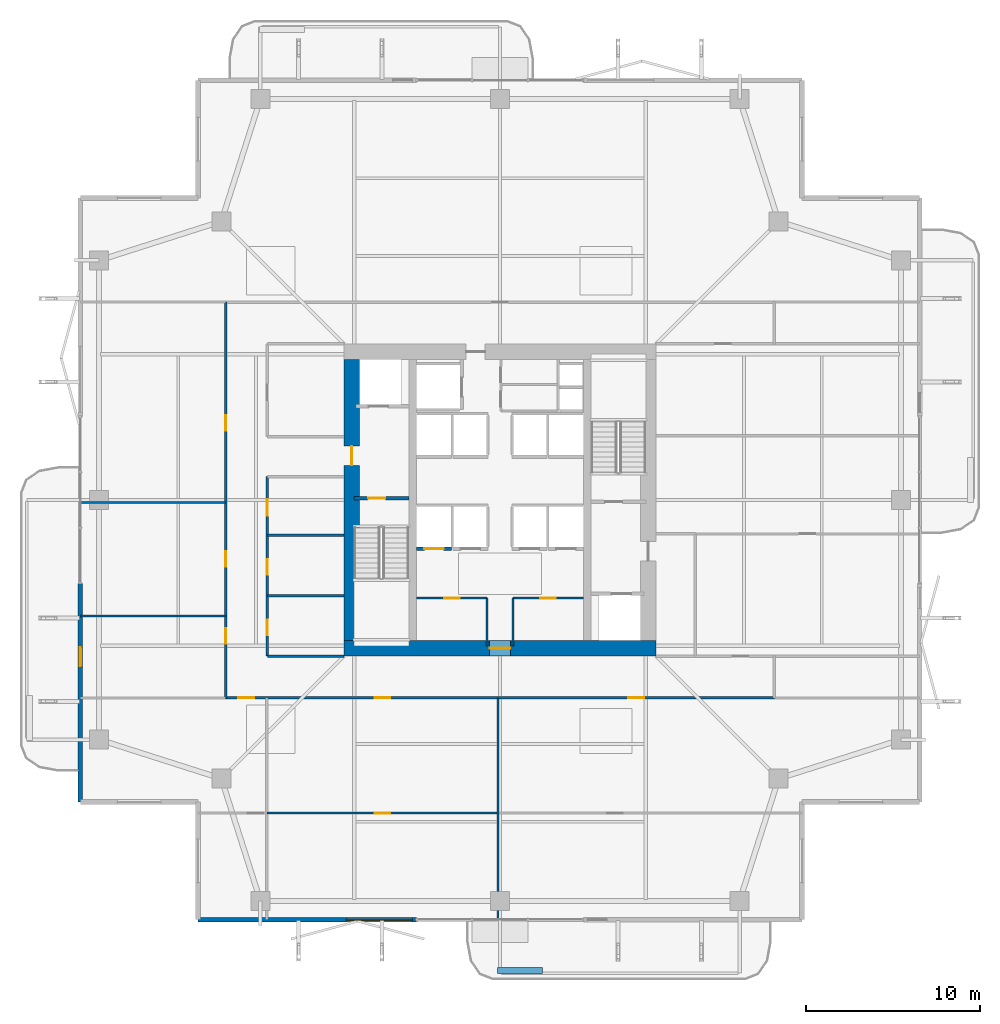
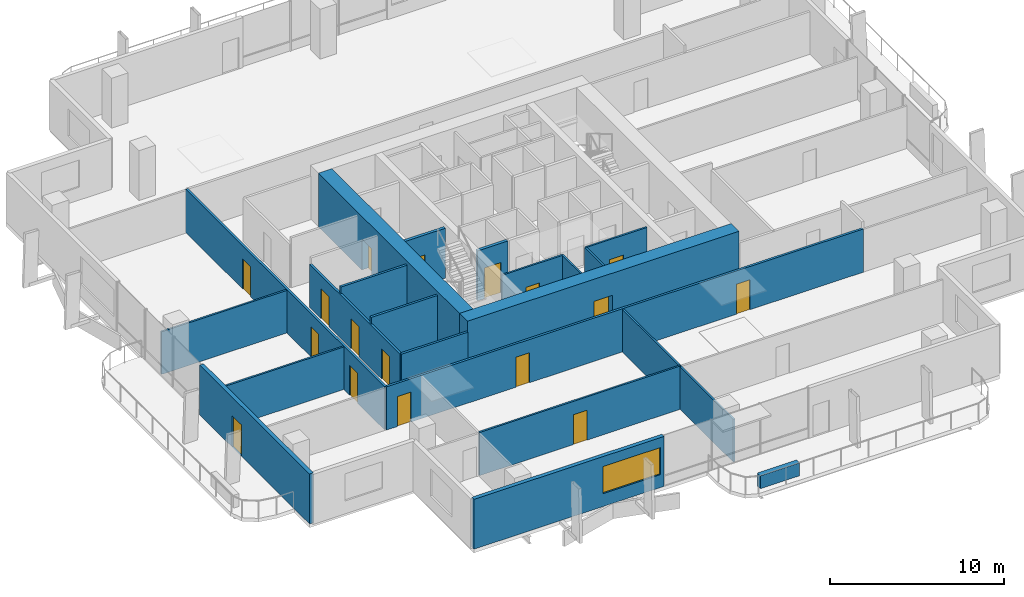
# One storey, part 18 of 25: 21 walls, 17 doors, 1 window, 18 openings.
"""IFC4 building model written with IfcOpenShell, lengths in metres."""

from ifc_helpers import new_model, si_unit, direction, frame, frame_2d, origin, place, context, subcontext, project, spatial, rectangle, extrude, material, layer, layer_set, type_object, element, fill, save


model = new_model("IFC4")

# Units and contexts
model_context = context("Model", 3, precision=1e-05, world=origin(), true_north=direction((0.0, 1.0)))
body_context = subcontext(model_context, "Body", "Model", "MODEL_VIEW")
ifc_project = project(units=[si_unit("LENGTHUNIT", "METRE"), si_unit("AREAUNIT", "SQUARE_METRE"), si_unit("VOLUMEUNIT", "CUBIC_METRE"), si_unit("PLANEANGLEUNIT", "RADIAN"), si_unit("MASSUNIT", "GRAM", prefix="KILO")], contexts=[model_context])

# Site, building, storey
site_placement = place(None, origin())
site = spatial("IfcSite", under=ifc_project, at=site_placement, CompositionType="ELEMENT")
building_placement = place(site_placement, origin())
building = spatial("IfcBuilding", under=site, at=building_placement, Name="Belovzor Exchange Tower", CompositionType="ELEMENT")
storey_placement = place(building_placement, frame((0.0, 0.0, 142.050048828125)))
storey = spatial("IfcBuildingStorey", under=building, at=storey_placement, Name="L34", CompositionType="ELEMENT", Elevation=142.050048828125)

# Wall, opening, door
ifc_material_1 = material(Name="Acoustic Plasterboard on Galvanised Studs", Category="gypsum")
ifc_layer_1 = layer(ifc_material_1, 0.1201171875)
ifc_layer_set_1 = layer_set([ifc_layer_1], Name="Acoustic Plasterboard on Galvanised Studs")
wall_type_1 = type_object("IfcWallType", Name="Acoustic Double-Stud Partition Wall 120", PredefinedType="PARTITIONING", material=ifc_layer_set_1)
wall_1_placement = place(storey_placement, frame((15.364990234375, 10.76611328125, 0.0), z_axis=(0.0, 0.0, 1.0), x_axis=(1.0, 0.0, 0.0)))
wall_1 = element("IfcWall", 1, at=wall_1_placement, inside=storey, type_object=wall_type_1, Name="W-P120 Partition Wall W-L34-SHDIV-1", PredefinedType="PARTITIONING", context=body_context, shape_type="SweptSolid", body=[
    extrude(rectangle(XDim=13.3310546875, YDim=0.1201171875, at=frame_2d((6.66552734375, 0.0))), origin(), (0.0, 0.0, 1.0), 3.030029296875),
])
opening_1_placement = place(wall_1_placement, frame((6.216064453125, 0.0, 0.0)))
opening_1 = element("IfcOpeningElement", 2, at=opening_1_placement, cuts=wall_1, Name="Opening D-INT-090", PredefinedType="OPENING", context=body_context, shape_type="SweptSolid", body=[
    extrude(rectangle(XDim=0.89990234375, YDim=2.10009765625, at=frame_2d((0.449951171875, 1.050048828125))), frame((0.0, 0.070068359375, 0.0), z_axis=(0.0, -1.0, 0.0), x_axis=(1.0, 0.0, 0.0)), (0.0, 0.0, 1.0), 0.14013671875),
])
ifc_material_2 = material(Name="Veneered Hardwood Acoustic Leaf", Category="wood")
door_type_1 = type_object("IfcDoorType", Name="Trading Suite Acoustic Single Door 900x2100", OperationType="NOTDEFINED", PredefinedType="DOOR", material=ifc_material_2)
door_1_placement = place(opening_1_placement, origin())
door_1 = element("IfcDoor", 3, at=door_1_placement, inside=storey, type_object=door_type_1, Name="D-INT-090 Trading Suite Acoustic Single Door 900x2100", OperationType="SINGLE_SWING_LEFT", OverallHeight=2.10009765625, OverallWidth=0.89990234375, PredefinedType="DOOR", context=body_context, shape_type="SweptSolid", body=[
    extrude(rectangle(XDim=0.89990234375, YDim=2.10009765625, at=frame_2d((0.449951171875, 1.050048828125))), frame((0.0, 0.02490234375, 0.0), z_axis=(0.0, -1.0, 0.0), x_axis=(1.0, 0.0, 0.0)), (0.0, 0.0, 1.0), 0.050048828125),
])
fill(opening_1, door_1)

# Walls
wall_2_placement = place(storey_placement, frame((28.696044921875, 4.6298828125, 0.0), z_axis=(0.0, 0.0, 1.0), x_axis=(0.0, 1.0, 0.0)))
element("IfcWall", 4, at=wall_2_placement, inside=storey, type_object=wall_type_1, Name="W-P120 Partition Wall W-L34-SDIV-2", PredefinedType="PARTITIONING", context=body_context, shape_type="SweptSolid", body=[
    extrude(rectangle(XDim=12.77001953125, YDim=0.1201171875, at=frame_2d((6.385009765625, 0.0))), origin(), (0.0, 0.0, 1.0), 2.97998046875),
])
for number, where, z_axis, x_axis, name in (
    (5, (4.6298828125, 22.1259765625, 0.0), (0.0, 0.0, 1.0), (1.0, 0.0, 0.0), "W-P120 Partition Wall W-L34-WDIV-1"),
    (6, (4.6298828125, 28.656982421875, 0.0), (0.0, 0.0, 1.0), (1.0, 0.0, 0.0), "W-P120 Partition Wall W-L34-WDIV-2"),
):
    element("IfcWall", number, at=place(storey_placement, frame(where, z_axis=z_axis, x_axis=x_axis)), inside=storey, type_object=wall_type_1, Name=name, PredefinedType="PARTITIONING", context=body_context, shape_type="SweptSolid", body=[
        extrude(rectangle(XDim=8.3701171875, YDim=0.1201171875, at=frame_2d((4.18505859375, 0.0))), origin(), (0.0, 0.0, 1.0), 2.97998046875),
    ])

# Wall, opening, door
ifc_material_3 = material(Name="Fire-Rated Plasterboard on Galvanised Studs", Category="gypsum")
ifc_layer_2 = layer(ifc_material_3, 0.1201171875)
ifc_layer_set_2 = layer_set([ifc_layer_2], Name="Fire-Rated Plasterboard on Galvanised Studs")
wall_type_2 = type_object("IfcWallType", Name="Fire-Rated Double-Stud Partition Wall 120", PredefinedType="PARTITIONING", material=ifc_layer_set_2)
wall_3_placement = place(storey_placement, frame((24.0, 23.14990234375, 0.0), z_axis=(0.0, 0.0, 1.0), x_axis=(1.0, 0.0, 0.0)))
wall_3 = element("IfcWall", 7, at=wall_3_placement, inside=storey, type_object=wall_type_2, Name="W-P120F Partition Wall W-CRL-L34-WN", PredefinedType="PARTITIONING", context=body_context, shape_type="SweptSolid", body=[
    extrude(rectangle(XDim=4.050048828125, YDim=0.1201171875, at=frame_2d((2.02490234375, 0.0))), origin(), (0.0, 0.0, 1.0), 3.494873046875),
])
opening_2_placement = place(wall_3_placement, frame((1.574951171875, 0.0, 0.0)))
opening_2 = element("IfcOpeningElement", 8, at=opening_2_placement, cuts=wall_3, Name="Opening D-FD60-090", PredefinedType="OPENING", context=body_context, shape_type="SweptSolid", body=[
    extrude(rectangle(XDim=0.89990234375, YDim=2.10009765625, at=frame_2d((0.449951171875, 1.050048828125))), frame((0.0, 0.070068359375, 0.0), z_axis=(0.0, -1.0, 0.0), x_axis=(1.0, 0.0, 0.0)), (0.0, 0.0, 1.0), 0.14013671875),
])
ifc_material_4 = material(Name="Acoustic Timber Fire Leaf", Category="wood")
door_type_2 = type_object("IfcDoorType", Name="Core Service & Restroom Fire Door 900x2100", OperationType="NOTDEFINED", PredefinedType="DOOR", material=ifc_material_4)
door_2_placement = place(opening_2_placement, origin())
door_2 = element("IfcDoor", 9, at=door_2_placement, inside=storey, type_object=door_type_2, Name="D-FD60-090 Core Service & Restroom Fire Door 900x2100", OperationType="SINGLE_SWING_LEFT", OverallHeight=2.10009765625, OverallWidth=0.89990234375, PredefinedType="DOOR", context=body_context, shape_type="SweptSolid", body=[
    extrude(rectangle(XDim=0.89990234375, YDim=2.10009765625, at=frame_2d((0.449951171875, 1.050048828125))), frame((0.0, 0.02490234375, 0.0), z_axis=(0.0, -1.0, 0.0), x_axis=(1.0, 0.0, 0.0)), (0.0, 0.0, 1.0), 0.050048828125),
])
fill(opening_2, door_2)

# Wall
wall_4_placement = place(storey_placement, frame((28.050048828125, 20.39990234375, 0.0), z_axis=(0.0, 0.0, 1.0), x_axis=(0.0, 1.0, 0.0)))
element("IfcWall", 10, at=wall_4_placement, inside=storey, type_object=wall_type_2, Name="W-P120F Partition Wall W-CRL-L34-WE", PredefinedType="PARTITIONING", context=body_context, shape_type="SweptSolid", body=[
    extrude(rectangle(XDim=2.75, YDim=0.1201171875, at=frame_2d((1.375, 0.0))), origin(), (0.0, 0.0, 1.0), 3.494873046875),
])

# Wall, opening, door
wall_5_placement = place(storey_placement, frame((29.550048828125, 23.14990234375, 0.0), z_axis=(0.0, 0.0, 1.0), x_axis=(1.0, 0.0, 0.0)))
wall_5 = element("IfcWall", 11, at=wall_5_placement, inside=storey, type_object=wall_type_2, Name="W-P120F Partition Wall W-CRL-L34-EN", PredefinedType="PARTITIONING", context=body_context, shape_type="SweptSolid", body=[
    extrude(rectangle(XDim=4.050048828125, YDim=0.1201171875, at=frame_2d((2.02490234375, 0.0))), origin(), (0.0, 0.0, 1.0), 3.494873046875),
])
opening_3_placement = place(wall_5_placement, frame((1.574951171875, 0.0, 0.0)))
opening_3 = element("IfcOpeningElement", 12, at=opening_3_placement, cuts=wall_5, Name="Opening D-FD60-090", PredefinedType="OPENING", context=body_context, shape_type="SweptSolid", body=[
    extrude(rectangle(XDim=0.89990234375, YDim=2.10009765625, at=frame_2d((0.449951171875, 1.050048828125))), frame((0.0, 0.070068359375, 0.0), z_axis=(0.0, -1.0, 0.0), x_axis=(1.0, 0.0, 0.0)), (0.0, 0.0, 1.0), 0.14013671875),
])
door_3_placement = place(opening_3_placement, origin())
door_3 = element("IfcDoor", 13, at=door_3_placement, inside=storey, type_object=door_type_2, Name="D-FD60-090 Core Service & Restroom Fire Door 900x2100", OperationType="SINGLE_SWING_RIGHT", OverallHeight=2.10009765625, OverallWidth=0.89990234375, PredefinedType="DOOR", context=body_context, shape_type="SweptSolid", body=[
    extrude(rectangle(XDim=0.89990234375, YDim=2.10009765625, at=frame_2d((0.449951171875, 1.050048828125))), frame((0.0, 0.02490234375, 0.0), z_axis=(0.0, -1.0, 0.0), x_axis=(1.0, 0.0, 0.0)), (0.0, 0.0, 1.0), 0.050048828125),
])
fill(opening_3, door_3)

# Walls
wall_6_placement = place(storey_placement, frame((29.550048828125, 20.39990234375, 0.0), z_axis=(0.0, 0.0, 1.0), x_axis=(0.0, 1.0, 0.0)))
element("IfcWall", 14, at=wall_6_placement, inside=storey, type_object=wall_type_2, Name="W-P120F Partition Wall W-CRL-L34-EW", PredefinedType="PARTITIONING", context=body_context, shape_type="SweptSolid", body=[
    extrude(rectangle(XDim=2.75, YDim=0.1201171875, at=frame_2d((1.375, 0.0))), origin(), (0.0, 0.0, 1.0), 3.494873046875),
])
ifc_material_5 = material(Name="Fire-Rated Gypsum Block and Mineral Wool", Category="gypsum")
ifc_layer_3 = layer(ifc_material_5, 0.14990234375)
ifc_layer_set_3 = layer_set([ifc_layer_3], Name="Fire-Rated Gypsum Block and Mineral Wool")
wall_type_3 = type_object("IfcWallType", Name="Fire-Rated Gypsum Block Corridor Wall 150", PredefinedType="PARTITIONING", material=ifc_layer_set_3)
wall_7_placement = place(storey_placement, frame((15.39990234375, 19.800048828125, 0.0), z_axis=(0.0, 0.0, 1.0), x_axis=(1.0, 0.0, 0.0)))
element("IfcWall", 15, at=wall_7_placement, inside=storey, type_object=wall_type_3, Name="W-P150 Partition Wall W-L34-WIC-S", PredefinedType="PARTITIONING", context=body_context, shape_type="SweptSolid", body=[
    extrude(rectangle(XDim=4.400146484375, YDim=0.14990234375, at=frame_2d((2.2001953125, 0.0))), origin(), (0.0, 0.0, 1.0), 3.030029296875),
])
for number, where, z_axis, x_axis, name in (
    (16, (15.39990234375, 23.27490234375, 0.0), (0.0, 0.0, 1.0), (1.0, 0.0, 0.0), "W-P150 Partition Wall W-L34-WIC-D1"),
    (17, (15.39990234375, 26.77490234375, 0.0), (0.0, 0.0, 1.0), (1.0, 0.0, 0.0), "W-P150 Partition Wall W-L34-WIC-D2"),
):
    element("IfcWall", number, at=place(storey_placement, frame(where, z_axis=z_axis, x_axis=x_axis)), inside=storey, type_object=wall_type_3, Name=name, PredefinedType="PARTITIONING", context=body_context, shape_type="SweptSolid", body=[
        extrude(rectangle(XDim=4.400146484375, YDim=0.14990234375, at=frame_2d((2.2001953125, 0.0))), origin(), (0.0, 0.0, 1.0), 3.494873046875),
    ])

# Wall, openings, doors
wall_8_placement = place(storey_placement, frame((15.39990234375, 19.800048828125, 0.0), z_axis=(0.0, 0.0, 1.0), x_axis=(0.0, 1.0, 0.0)))
wall_8 = element("IfcWall", 18, at=wall_8_placement, inside=storey, type_object=wall_type_3, Name="W-P150 Partition Wall W-L34-WIE-S", PredefinedType="PARTITIONING", context=body_context, shape_type="SweptSolid", body=[
    extrude(rectangle(XDim=10.349853515625, YDim=0.14990234375, at=frame_2d((5.1748046875, 0.0))), origin(), (0.0, 0.0, 1.0), 3.030029296875),
])
opening_4_placement = place(wall_8_placement, frame((1.199951171875, 0.0, 0.0)))
opening_4 = element("IfcOpeningElement", 19, at=opening_4_placement, cuts=wall_8, Name="Opening D-FD60-090", PredefinedType="OPENING", context=body_context, shape_type="SweptSolid", body=[
    extrude(rectangle(XDim=0.89990234375, YDim=2.10009765625, at=frame_2d((0.449951171875, 1.050048828125))), frame((0.0, 0.0849609375, 0.0), z_axis=(0.0, -1.0, 0.0), x_axis=(1.0, 0.0, 0.0)), (0.0, 0.0, 1.0), 0.169921875),
])
opening_5_placement = place(wall_8_placement, frame((4.699951171875, 0.0, 0.0)))
opening_5 = element("IfcOpeningElement", 20, at=opening_5_placement, cuts=wall_8, Name="Opening D-FD60-090", PredefinedType="OPENING", context=body_context, shape_type="SweptSolid", body=[
    extrude(rectangle(XDim=0.89990234375, YDim=2.10009765625, at=frame_2d((0.449951171875, 1.050048828125))), frame((0.0, 0.0849609375, 0.0), z_axis=(0.0, -1.0, 0.0), x_axis=(1.0, 0.0, 0.0)), (0.0, 0.0, 1.0), 0.169921875),
])
opening_6_placement = place(wall_8_placement, frame((8.10009765625, 0.0, 0.0)))
opening_6 = element("IfcOpeningElement", 21, at=opening_6_placement, cuts=wall_8, Name="Opening D-FD60-095", PredefinedType="OPENING", context=body_context, shape_type="SweptSolid", body=[
    extrude(rectangle(XDim=0.949951171875, YDim=2.10009765625, at=frame_2d((0.47509765625, 1.050048828125))), frame((0.0, 0.0849609375, 0.0), z_axis=(0.0, -1.0, 0.0), x_axis=(1.0, 0.0, 0.0)), (0.0, 0.0, 1.0), 0.169921875),
])
ifc_material_6 = material(Name="Moisture-Resistant Timber Fire Leaf", Category="wood")
door_type_3 = type_object("IfcDoorType", Name="Accessible Restroom Wide Fire Door 950x2100", OperationType="NOTDEFINED", PredefinedType="DOOR", material=ifc_material_6)
door_4_placement = place(opening_6_placement, origin())
door_4 = element("IfcDoor", 22, at=door_4_placement, inside=storey, type_object=door_type_3, Name="D-FD60-095 Accessible Restroom Wide Fire Door 950x2100", OperationType="SINGLE_SWING_LEFT", OverallHeight=2.10009765625, OverallWidth=0.949951171875, PredefinedType="DOOR", context=body_context, shape_type="SweptSolid", body=[
    extrude(rectangle(XDim=0.949951171875, YDim=2.10009765625, at=frame_2d((0.47509765625, 1.050048828125))), frame((0.0, 0.02490234375, 0.0), z_axis=(0.0, -1.0, 0.0), x_axis=(1.0, 0.0, 0.0)), (0.0, 0.0, 1.0), 0.050048828125),
])
fill(opening_6, door_4)
door_5_placement = place(opening_4_placement, origin())
door_5 = element("IfcDoor", 23, at=door_5_placement, inside=storey, type_object=door_type_2, Name="D-FD60-090 Core Service & Restroom Fire Door 900x2100", OperationType="SINGLE_SWING_LEFT", OverallHeight=2.10009765625, OverallWidth=0.89990234375, PredefinedType="DOOR", context=body_context, shape_type="SweptSolid", body=[
    extrude(rectangle(XDim=0.89990234375, YDim=2.10009765625, at=frame_2d((0.449951171875, 1.050048828125))), frame((0.0, 0.02490234375, 0.0), z_axis=(0.0, -1.0, 0.0), x_axis=(1.0, 0.0, 0.0)), (0.0, 0.0, 1.0), 0.050048828125),
])
fill(opening_4, door_5)
door_6_placement = place(opening_5_placement, origin())
door_6 = element("IfcDoor", 24, at=door_6_placement, inside=storey, type_object=door_type_2, Name="D-FD60-090 Core Service & Restroom Fire Door 900x2100", OperationType="SINGLE_SWING_RIGHT", OverallHeight=2.10009765625, OverallWidth=0.89990234375, PredefinedType="DOOR", context=body_context, shape_type="SweptSolid", body=[
    extrude(rectangle(XDim=0.89990234375, YDim=2.10009765625, at=frame_2d((0.449951171875, 1.050048828125))), frame((0.0, 0.02490234375, 0.0), z_axis=(0.0, -1.0, 0.0), x_axis=(1.0, 0.0, 0.0)), (0.0, 0.0, 1.0), 0.050048828125),
])
fill(opening_5, door_6)

wall_9_placement = place(storey_placement, frame((13.0, 17.39990234375, 0.0), z_axis=(0.0, 0.0, 1.0), x_axis=(1.0, 0.0, 0.0)))
wall_9 = element("IfcWall", 25, at=wall_9_placement, inside=storey, type_object=wall_type_3, Name="W-P150 Partition Wall W-L34-CS", PredefinedType="PARTITIONING", context=body_context, shape_type="SweptSolid", body=[
    extrude(rectangle(XDim=31.60009765625, YDim=0.14990234375, at=frame_2d((15.800048828125, 0.0))), origin(), (0.0, 0.0, 1.0), 3.030029296875),
])
opening_7_placement = place(wall_9_placement, frame((0.73291015625, 0.0, 0.0)))
opening_7 = element("IfcOpeningElement", 26, at=opening_7_placement, cuts=wall_9, Name="Opening D-INT-090", PredefinedType="OPENING", context=body_context, shape_type="SweptSolid", body=[
    extrude(rectangle(XDim=0.89990234375, YDim=2.10009765625, at=frame_2d((0.449951171875, 1.050048828125))), frame((0.0, 0.0849609375, 0.0), z_axis=(0.0, -1.0, 0.0), x_axis=(1.0, 0.0, 0.0)), (0.0, 0.0, 1.0), 0.169921875),
])
opening_8_placement = place(wall_9_placement, frame((8.5810546875, 0.0, 0.0)))
opening_8 = element("IfcOpeningElement", 27, at=opening_8_placement, cuts=wall_9, Name="Opening D-INT-090", PredefinedType="OPENING", context=body_context, shape_type="SweptSolid", body=[
    extrude(rectangle(XDim=0.89990234375, YDim=2.10009765625, at=frame_2d((0.449951171875, 1.050048828125))), frame((0.0, 0.0849609375, 0.0), z_axis=(0.0, -1.0, 0.0), x_axis=(1.0, 0.0, 0.0)), (0.0, 0.0, 1.0), 0.169921875),
])
opening_9_placement = place(wall_9_placement, frame((23.197998046875, 0.0, 0.0)))
opening_9 = element("IfcOpeningElement", 28, at=opening_9_placement, cuts=wall_9, Name="Opening D-INT-090", PredefinedType="OPENING", context=body_context, shape_type="SweptSolid", body=[
    extrude(rectangle(XDim=0.89990234375, YDim=2.10009765625, at=frame_2d((0.449951171875, 1.050048828125))), frame((0.0, 0.0849609375, 0.0), z_axis=(0.0, -1.0, 0.0), x_axis=(1.0, 0.0, 0.0)), (0.0, 0.0, 1.0), 0.169921875),
])
door_7_placement = place(opening_7_placement, origin())
door_7 = element("IfcDoor", 29, at=door_7_placement, inside=storey, type_object=door_type_1, Name="D-INT-090 Trading Suite Acoustic Single Door 900x2100", OperationType="SINGLE_SWING_RIGHT", OverallHeight=2.10009765625, OverallWidth=0.89990234375, PredefinedType="DOOR", context=body_context, shape_type="SweptSolid", body=[
    extrude(rectangle(XDim=0.89990234375, YDim=2.10009765625, at=frame_2d((0.449951171875, 1.050048828125))), frame((0.0, 0.02490234375, 0.0), z_axis=(0.0, -1.0, 0.0), x_axis=(1.0, 0.0, 0.0)), (0.0, 0.0, 1.0), 0.050048828125),
])
fill(opening_7, door_7)
door_8_placement = place(opening_8_placement, origin())
door_8 = element("IfcDoor", 30, at=door_8_placement, inside=storey, type_object=door_type_1, Name="D-INT-090 Trading Suite Acoustic Single Door 900x2100", OperationType="SINGLE_SWING_LEFT", OverallHeight=2.10009765625, OverallWidth=0.89990234375, PredefinedType="DOOR", context=body_context, shape_type="SweptSolid", body=[
    extrude(rectangle(XDim=0.89990234375, YDim=2.10009765625, at=frame_2d((0.449951171875, 1.050048828125))), frame((0.0, 0.02490234375, 0.0), z_axis=(0.0, -1.0, 0.0), x_axis=(1.0, 0.0, 0.0)), (0.0, 0.0, 1.0), 0.050048828125),
])
fill(opening_8, door_8)
door_9_placement = place(opening_9_placement, origin())
door_9 = element("IfcDoor", 31, at=door_9_placement, inside=storey, type_object=door_type_1, Name="D-INT-090 Trading Suite Acoustic Single Door 900x2100", OperationType="SINGLE_SWING_RIGHT", OverallHeight=2.10009765625, OverallWidth=0.89990234375, PredefinedType="DOOR", context=body_context, shape_type="SweptSolid", body=[
    extrude(rectangle(XDim=0.89990234375, YDim=2.10009765625, at=frame_2d((0.449951171875, 1.050048828125))), frame((0.0, 0.02490234375, 0.0), z_axis=(0.0, -1.0, 0.0), x_axis=(1.0, 0.0, 0.0)), (0.0, 0.0, 1.0), 0.050048828125),
])
fill(opening_9, door_9)

wall_10_placement = place(storey_placement, frame((13.0, 17.39990234375, 0.0), z_axis=(0.0, 0.0, 1.0), x_axis=(0.0, 1.0, 0.0)))
wall_10 = element("IfcWall", 32, at=wall_10_placement, inside=storey, type_object=wall_type_3, Name="W-P150 Partition Wall W-L34-CWO", PredefinedType="PARTITIONING", context=body_context, shape_type="SweptSolid", body=[
    extrude(rectangle(XDim=22.800048828125, YDim=0.14990234375, at=frame_2d((11.39990234375, 0.0))), origin(), (0.0, 0.0, 1.0), 3.030029296875),
])
opening_10_placement = place(wall_10_placement, frame((3.113037109375, 0.0, 0.0)))
opening_10 = element("IfcOpeningElement", 33, at=opening_10_placement, cuts=wall_10, Name="Opening D-INT-090", PredefinedType="OPENING", context=body_context, shape_type="SweptSolid", body=[
    extrude(rectangle(XDim=0.89990234375, YDim=2.10009765625, at=frame_2d((0.449951171875, 1.050048828125))), frame((0.0, 0.0849609375, 0.0), z_axis=(0.0, -1.0, 0.0), x_axis=(1.0, 0.0, 0.0)), (0.0, 0.0, 1.0), 0.169921875),
])
opening_11_placement = place(wall_10_placement, frame((7.5419921875, 0.0, 0.0)))
opening_11 = element("IfcOpeningElement", 34, at=opening_11_placement, cuts=wall_10, Name="Opening D-INT-090", PredefinedType="OPENING", context=body_context, shape_type="SweptSolid", body=[
    extrude(rectangle(XDim=0.89990234375, YDim=2.10009765625, at=frame_2d((0.449951171875, 1.050048828125))), frame((0.0, 0.0849609375, 0.0), z_axis=(0.0, -1.0, 0.0), x_axis=(1.0, 0.0, 0.0)), (0.0, 0.0, 1.0), 0.169921875),
])
opening_12_placement = place(wall_10_placement, frame((15.3779296875, 0.0, 0.0)))
opening_12 = element("IfcOpeningElement", 35, at=opening_12_placement, cuts=wall_10, Name="Opening D-INT-090", PredefinedType="OPENING", context=body_context, shape_type="SweptSolid", body=[
    extrude(rectangle(XDim=0.89990234375, YDim=2.10009765625, at=frame_2d((0.449951171875, 1.050048828125))), frame((0.0, 0.0849609375, 0.0), z_axis=(0.0, -1.0, 0.0), x_axis=(1.0, 0.0, 0.0)), (0.0, 0.0, 1.0), 0.169921875),
])
door_10_placement = place(opening_10_placement, origin())
door_10 = element("IfcDoor", 36, at=door_10_placement, inside=storey, type_object=door_type_1, Name="D-INT-090 Trading Suite Acoustic Single Door 900x2100", OperationType="SINGLE_SWING_LEFT", OverallHeight=2.10009765625, OverallWidth=0.89990234375, PredefinedType="DOOR", context=body_context, shape_type="SweptSolid", body=[
    extrude(rectangle(XDim=0.89990234375, YDim=2.10009765625, at=frame_2d((0.449951171875, 1.050048828125))), frame((0.0, 0.02490234375, 0.0), z_axis=(0.0, -1.0, 0.0), x_axis=(1.0, 0.0, 0.0)), (0.0, 0.0, 1.0), 0.050048828125),
])
fill(opening_10, door_10)
door_11_placement = place(opening_11_placement, origin())
door_11 = element("IfcDoor", 37, at=door_11_placement, inside=storey, type_object=door_type_1, Name="D-INT-090 Trading Suite Acoustic Single Door 900x2100", OperationType="SINGLE_SWING_LEFT", OverallHeight=2.10009765625, OverallWidth=0.89990234375, PredefinedType="DOOR", context=body_context, shape_type="SweptSolid", body=[
    extrude(rectangle(XDim=0.89990234375, YDim=2.10009765625, at=frame_2d((0.449951171875, 1.050048828125))), frame((0.0, 0.02490234375, 0.0), z_axis=(0.0, -1.0, 0.0), x_axis=(1.0, 0.0, 0.0)), (0.0, 0.0, 1.0), 0.050048828125),
])
fill(opening_11, door_11)
door_12_placement = place(opening_12_placement, origin())
door_12 = element("IfcDoor", 38, at=door_12_placement, inside=storey, type_object=door_type_1, Name="D-INT-090 Trading Suite Acoustic Single Door 900x2100", OperationType="SINGLE_SWING_LEFT", OverallHeight=2.10009765625, OverallWidth=0.89990234375, PredefinedType="DOOR", context=body_context, shape_type="SweptSolid", body=[
    extrude(rectangle(XDim=0.89990234375, YDim=2.10009765625, at=frame_2d((0.449951171875, 1.050048828125))), frame((0.0, 0.02490234375, 0.0), z_axis=(0.0, -1.0, 0.0), x_axis=(1.0, 0.0, 0.0)), (0.0, 0.0, 1.0), 0.050048828125),
])
fill(opening_12, door_12)

# Wall, opening, window
ifc_material_7 = material(Name="Precast concrete C40/50", Category="concrete")
ifc_layer_4 = layer(ifc_material_7, 0.260009765625)
ifc_layer_set_4 = layer_set([ifc_layer_4], Name="Precast concrete C40/50")
wall_type_4 = type_object("IfcWallType", Name="Precast Concrete Perimeter Loggia Frame Wall 260", PredefinedType="SOLIDWALL", material=ifc_layer_set_4)
wall_11_placement = place(storey_placement, frame((24.0, 4.6298828125, 0.0), z_axis=(0.0, 0.0, 1.0), x_axis=(-1.0, 0.0, 0.0)))
wall_11 = element("IfcWall", 39, at=wall_11_placement, inside=storey, type_object=wall_type_4, Name="W-EXT260 Precast Concrete Perimeter Loggia Frame Wall 260 L34", PredefinedType="SOLIDWALL", context=body_context, shape_type="SweptSolid", body=[
    extrude(rectangle(XDim=12.60009765625, YDim=0.260009765625, at=frame_2d((6.300048828125, 0.0))), origin(), (0.0, 0.0, 1.0), 3.494873046875),
])
opening_13_placement = place(wall_11_placement, frame((0.25, 0.0, 0.89990234375)))
opening_13 = element("IfcOpeningElement", 40, at=opening_13_placement, cuts=wall_11, Name="Opening WN-RIB380", PredefinedType="OPENING", context=body_context, shape_type="SweptSolid", body=[
    extrude(rectangle(XDim=3.800048828125, YDim=1.89990234375, at=frame_2d((1.89990234375, 0.949951171875))), frame((0.0, 0.139892578125, 0.0), z_axis=(0.0, -1.0, 0.0), x_axis=(1.0, 0.0, 0.0)), (0.0, 0.0, 1.0), 0.280029296875),
])
ifc_material_8 = material(Name="Thermally Broken Aluminium and Triple Glazing", Category="aluminium")
window_type = type_object("IfcWindowType", Name="Streamline Moderne Horizontal Ribbon Window 3800x1900", PartitioningType="SINGLE_PANEL", PredefinedType="WINDOW", material=ifc_material_8)
window_placement = place(opening_13_placement, origin())
window = element("IfcWindow", 41, at=window_placement, inside=storey, type_object=window_type, Name="WN-RIB380 Streamline Moderne Horizontal Ribbon Window 3800x1900", OverallHeight=1.89990234375, OverallWidth=3.800048828125, PartitioningType="SINGLE_PANEL", PredefinedType="WINDOW", context=body_context, shape_type="SweptSolid", body=[
    extrude(rectangle(XDim=3.800048828125, YDim=1.89990234375, at=frame_2d((1.89990234375, 0.949951171875))), frame((0.0, 0.030029296875, 0.0), z_axis=(0.0, -1.0, 0.0), x_axis=(1.0, 0.0, 0.0)), (0.0, 0.0, 1.0), 0.06005859375),
])
fill(opening_13, window)

# Wall, opening, door
wall_12_placement = place(storey_placement, frame((4.6298828125, 11.39990234375, 0.0), z_axis=(0.0, 0.0, 1.0), x_axis=(0.0, 1.0, 0.0)))
wall_12 = element("IfcWall", 42, at=wall_12_placement, inside=storey, type_object=wall_type_4, Name="W-EXT260 Precast Concrete Perimeter Loggia Frame Wall 260 L34", PredefinedType="SOLIDWALL", context=body_context, shape_type="SweptSolid", body=[
    extrude(rectangle(XDim=12.60009765625, YDim=0.260009765625, at=frame_2d((6.300048828125, 0.0))), origin(), (0.0, 0.0, 1.0), 3.494873046875),
])
opening_14_placement = place(wall_12_placement, frame((7.822021484375, 0.0, 0.0)))
opening_14 = element("IfcOpeningElement", 43, at=opening_14_placement, cuts=wall_12, Name="Opening D-BAL110", PredefinedType="OPENING", context=body_context, shape_type="SweptSolid", body=[
    extrude(rectangle(XDim=1.10009765625, YDim=2.199951171875, at=frame_2d((0.550048828125, 1.10009765625))), frame((0.0, 0.139892578125, 0.0), z_axis=(0.0, -1.0, 0.0), x_axis=(1.0, 0.0, 0.0)), (0.0, 0.0, 1.0), 0.280029296875),
])
ifc_material_9 = material(Name="Thermally Broken Anodised Aluminium and Laminated Glass", Category="aluminium")
door_type_4 = type_object("IfcDoorType", Name="Planted Loggia Terrace Glazed Door 1100x2200", OperationType="SINGLE_SWING_LEFT", PredefinedType="DOOR", material=ifc_material_9)
door_13_placement = place(opening_14_placement, origin())
door_13 = element("IfcDoor", 44, at=door_13_placement, inside=storey, type_object=door_type_4, Name="D-BAL110 Balcony Terrace Door L34 W", OperationType="SINGLE_SWING_RIGHT", OverallHeight=2.199951171875, OverallWidth=1.10009765625, PredefinedType="DOOR", context=body_context, shape_type="SweptSolid", body=[
    extrude(rectangle(XDim=1.10009765625, YDim=2.199951171875, at=frame_2d((0.550048828125, 1.10009765625))), frame((0.0, 0.02490234375, 0.0), z_axis=(0.0, -1.0, 0.0), x_axis=(1.0, 0.0, 0.0)), (0.0, 0.0, 1.0), 0.050048828125),
])
fill(opening_14, door_13)

# Wall
ifc_material_10 = material(Name="Precast concrete C40/50", Category="concrete")
ifc_layer_5 = layer(ifc_material_10, 0.35009765625)
ifc_layer_set_5 = layer_set([ifc_layer_5], Name="Precast concrete C40/50")
wall_type_5 = type_object("IfcWallType", Name="Precast Concrete Structural Tree Planter Trough 350", PredefinedType="PARAPET", material=ifc_layer_set_5)
wall_13_placement = place(storey_placement, frame((28.64990234375, 1.699951171875, 0.0), z_axis=(0.0, 0.0, 1.0), x_axis=(1.0, 0.0, 0.0)))
element("IfcWall", 45, at=wall_13_placement, inside=storey, type_object=wall_type_5, Name="PT-350 Precast Concrete Structural Tree Planter Trough 350 L34", PredefinedType="PARAPET", context=body_context, shape_type="SweptSolid", body=[
    extrude(rectangle(XDim=2.60009765625, YDim=0.35009765625, at=frame_2d((1.300048828125, 0.0))), origin(), (0.0, 0.0, 1.0), 0.89990234375),
])

# Wall, opening, door
ifc_material_11 = material(Name="Concrete C50/60", Category="concrete")
ifc_layer_6 = layer(ifc_material_11, 0.199951171875)
ifc_layer_set_6 = layer_set([ifc_layer_6], Name="Concrete C50/60")
wall_type_6 = type_object("IfcWallType", Name="Reinforced Concrete Core Shaft Shear Wall 200", PredefinedType="SHEAR", material=ifc_layer_set_6)
wall_14_placement = place(storey_placement, frame((20.39990234375, 28.89990234375, 0.0), z_axis=(0.0, 0.0, 1.0), x_axis=(1.0, 0.0, 0.0)))
wall_14 = element("IfcWall", 46, at=wall_14_placement, inside=storey, type_object=wall_type_6, Name="W-C200S Core Shaft Wall W-CORE-L34-FFLW1", PredefinedType="SHEAR", context=body_context, shape_type="SweptSolid", body=[
    extrude(rectangle(XDim=3.150146484375, YDim=0.199951171875, at=frame_2d((1.5751953125, 0.0))), origin(), (0.0, 0.0, 1.0), 3.494873046875),
])
opening_15_placement = place(wall_14_placement, frame((0.800048828125, 0.0, 0.0)))
opening_15 = element("IfcOpeningElement", 47, at=opening_15_placement, cuts=wall_14, Name="Opening D-FD90-100", PredefinedType="OPENING", context=body_context, shape_type="SweptSolid", body=[
    extrude(rectangle(XDim=1.0, YDim=2.10009765625, at=frame_2d((0.5, 1.050048828125))), frame((0.0, 0.10986328125, 0.0), z_axis=(0.0, -1.0, 0.0), x_axis=(1.0, 0.0, 0.0)), (0.0, 0.0, 1.0), 0.219970703125),
])
ifc_material_12 = material(Name="Fire-Rated Galvanised Steel Leaf", Category="steel")
door_type_5 = type_object("IfcDoorType", Name="Protected Stairwell Single Fire Door 1000x2100", OperationType="NOTDEFINED", PredefinedType="DOOR", material=ifc_material_12)
door_14_placement = place(opening_15_placement, origin())
door_14 = element("IfcDoor", 48, at=door_14_placement, inside=storey, type_object=door_type_5, Name="D-FD90-100 Protected Stairwell Single Fire Door 1000x2100", OperationType="SINGLE_SWING_RIGHT", OverallHeight=2.10009765625, OverallWidth=1.0, PredefinedType="DOOR", context=body_context, shape_type="SweptSolid", body=[
    extrude(rectangle(XDim=1.0, YDim=2.10009765625, at=frame_2d((0.5, 1.050048828125))), frame((0.0, 0.02490234375, 0.0), z_axis=(0.0, -1.0, 0.0), x_axis=(1.0, 0.0, 0.0)), (0.0, 0.0, 1.0), 0.050048828125),
])
fill(opening_15, door_14)

wall_15_placement = place(storey_placement, frame((24.0, 26.0, 0.0), z_axis=(0.0, 0.0, 1.0), x_axis=(1.0, 0.0, 0.0)))
wall_15 = element("IfcWall", 49, at=wall_15_placement, inside=storey, type_object=wall_type_6, Name="W-C200S Core Shaft Wall W-SH-L34-PL-M1", PredefinedType="SHEAR", context=body_context, shape_type="SweptSolid", body=[
    extrude(rectangle(XDim=2.0, YDim=0.199951171875, at=frame_2d((1.0, 0.0))), origin(), (0.0, 0.0, 1.0), 3.494873046875),
])
opening_16_placement = place(wall_15_placement, frame((0.449951171875, 0.0, 0.0)))
opening_16 = element("IfcOpeningElement", 50, at=opening_16_placement, cuts=wall_15, Name="Opening LD-110", PredefinedType="OPENING", context=body_context, shape_type="SweptSolid", body=[
    extrude(rectangle(XDim=1.10009765625, YDim=2.14990234375, at=frame_2d((0.550048828125, 1.074951171875))), frame((0.0, 0.10986328125, 0.0), z_axis=(0.0, -1.0, 0.0), x_axis=(1.0, 0.0, 0.0)), (0.0, 0.0, 1.0), 0.219970703125),
])
ifc_material_13 = material(Name="Stainless Steel Grade 304", Category="steel")
door_type_6 = type_object("IfcDoorType", Name="Automated Stainless Steel Lift Landing Door 1100x2150", OperationType="SLIDING_TO_RIGHT", PredefinedType="DOOR", material=ifc_material_13)
door_15_placement = place(opening_16_placement, origin())
door_15 = element("IfcDoor", 51, at=door_15_placement, inside=storey, type_object=door_type_6, Name="LD-110 Automated Stainless Steel Lift Landing Door 1100x2150", OperationType="SLIDING_TO_RIGHT", OverallHeight=2.14990234375, OverallWidth=1.10009765625, PredefinedType="DOOR", context=body_context, shape_type="SweptSolid", body=[
    extrude(rectangle(XDim=1.10009765625, YDim=2.14990234375, at=frame_2d((0.550048828125, 1.074951171875))), frame((0.0, 0.02490234375, 0.0), z_axis=(0.0, -1.0, 0.0), x_axis=(1.0, 0.0, 0.0)), (0.0, 0.0, 1.0), 0.050048828125),
])
fill(opening_16, door_15)

ifc_material_14 = material(Name="Concrete C60/75", Category="concrete")
ifc_layer_7 = layer(ifc_material_14, 0.89990234375)
ifc_layer_set_7 = layer_set([ifc_layer_7], Name="Concrete C60/75")
wall_type_7 = type_object("IfcWallType", Name="Reinforced Concrete Core Shear Wall 900", PredefinedType="SHEAR", material=ifc_layer_set_7)
wall_16_placement = place(storey_placement, frame((19.800048828125, 20.25, 0.0), z_axis=(0.0, 0.0, 1.0), x_axis=(1.0, 0.0, 0.0)))
wall_16 = element("IfcWall", 52, at=wall_16_placement, inside=storey, type_object=wall_type_7, Name="CW-S090 Core Shear Wall L34 S", PredefinedType="SHEAR", context=body_context, shape_type="SweptSolid", body=[
    extrude(rectangle(XDim=18.0, YDim=0.89990234375, at=frame_2d((9.0, 0.0))), origin(), (0.0, 0.0, 1.0), 3.75),
])
opening_17_placement = place(wall_16_placement, frame((8.39990234375, 0.0, 0.0)))
opening_17 = element("IfcOpeningElement", 53, at=opening_17_placement, cuts=wall_16, Name="Opening D-FD90-120", PredefinedType="OPENING", context=body_context, shape_type="SweptSolid", body=[
    extrude(rectangle(XDim=1.199951171875, YDim=2.199951171875, at=frame_2d((0.60009765625, 1.10009765625))), frame((0.0, 0.4599609375, 0.0), z_axis=(0.0, -1.0, 0.0), x_axis=(1.0, 0.0, 0.0)), (0.0, 0.0, 1.0), 0.919921875),
])
ifc_material_15 = material(Name="Fire-Rated Galvanised Steel Leaf", Category="steel")
door_type_7 = type_object("IfcDoorType", Name="Heavy Plant & Foyer Fire Door 1200x2200", OperationType="NOTDEFINED", PredefinedType="DOOR", material=ifc_material_15)
door_16_placement = place(opening_17_placement, origin())
door_16 = element("IfcDoor", 54, at=door_16_placement, inside=storey, type_object=door_type_7, Name="D-FD90-120 Heavy Plant & Foyer Fire Door 1200x2200", OperationType="SINGLE_SWING_LEFT", OverallHeight=2.199951171875, OverallWidth=1.199951171875, PredefinedType="DOOR", context=body_context, shape_type="SweptSolid", body=[
    extrude(rectangle(XDim=1.199951171875, YDim=2.199951171875, at=frame_2d((0.60009765625, 1.10009765625))), frame((0.0, 0.02490234375, 0.0), z_axis=(0.0, -1.0, 0.0), x_axis=(1.0, 0.0, 0.0)), (0.0, 0.0, 1.0), 0.050048828125),
])
fill(opening_17, door_16)

wall_17_placement = place(storey_placement, frame((20.25, 20.699951171875, 0.0), z_axis=(0.0, 0.0, 1.0), x_axis=(0.0, 1.0, 0.0)))
wall_17 = element("IfcWall", 55, at=wall_17_placement, inside=storey, type_object=wall_type_7, Name="CW-S090 Core Shear Wall L34 W", PredefinedType="SHEAR", context=body_context, shape_type="SweptSolid", body=[
    extrude(rectangle(XDim=16.199951171875, YDim=0.89990234375, at=frame_2d((8.10009765625, 0.0))), origin(), (0.0, 0.0, 1.0), 3.75),
])
opening_18_placement = place(wall_17_placement, frame((10.10009765625, 0.0, 0.0)))
opening_18 = element("IfcOpeningElement", 56, at=opening_18_placement, cuts=wall_17, Name="Opening D-FD90-110", PredefinedType="OPENING", context=body_context, shape_type="SweptSolid", body=[
    extrude(rectangle(XDim=1.10009765625, YDim=2.14990234375, at=frame_2d((0.550048828125, 1.074951171875))), frame((0.0, 0.4599609375, 0.0), z_axis=(0.0, -1.0, 0.0), x_axis=(1.0, 0.0, 0.0)), (0.0, 0.0, 1.0), 0.919921875),
])
ifc_material_16 = material(Name="Fire-Rated Galvanised Steel Leaf", Category="steel")
door_type_8 = type_object("IfcDoorType", Name="Protected Escape Vestibule Fire Door 1100x2150", OperationType="NOTDEFINED", PredefinedType="DOOR", material=ifc_material_16)
door_17_placement = place(opening_18_placement, origin())
door_17 = element("IfcDoor", 57, at=door_17_placement, inside=storey, type_object=door_type_8, Name="D-FD90-110 Protected Escape Vestibule Fire Door 1100x2150", OperationType="SINGLE_SWING_LEFT", OverallHeight=2.14990234375, OverallWidth=1.10009765625, PredefinedType="DOOR", context=body_context, shape_type="SweptSolid", body=[
    extrude(rectangle(XDim=1.10009765625, YDim=2.14990234375, at=frame_2d((0.550048828125, 1.074951171875))), frame((0.0, 0.02490234375, 0.0), z_axis=(0.0, -1.0, 0.0), x_axis=(1.0, 0.0, 0.0)), (0.0, 0.0, 1.0), 0.050048828125),
])
fill(opening_18, door_17)

save(model, "model.ifc")
